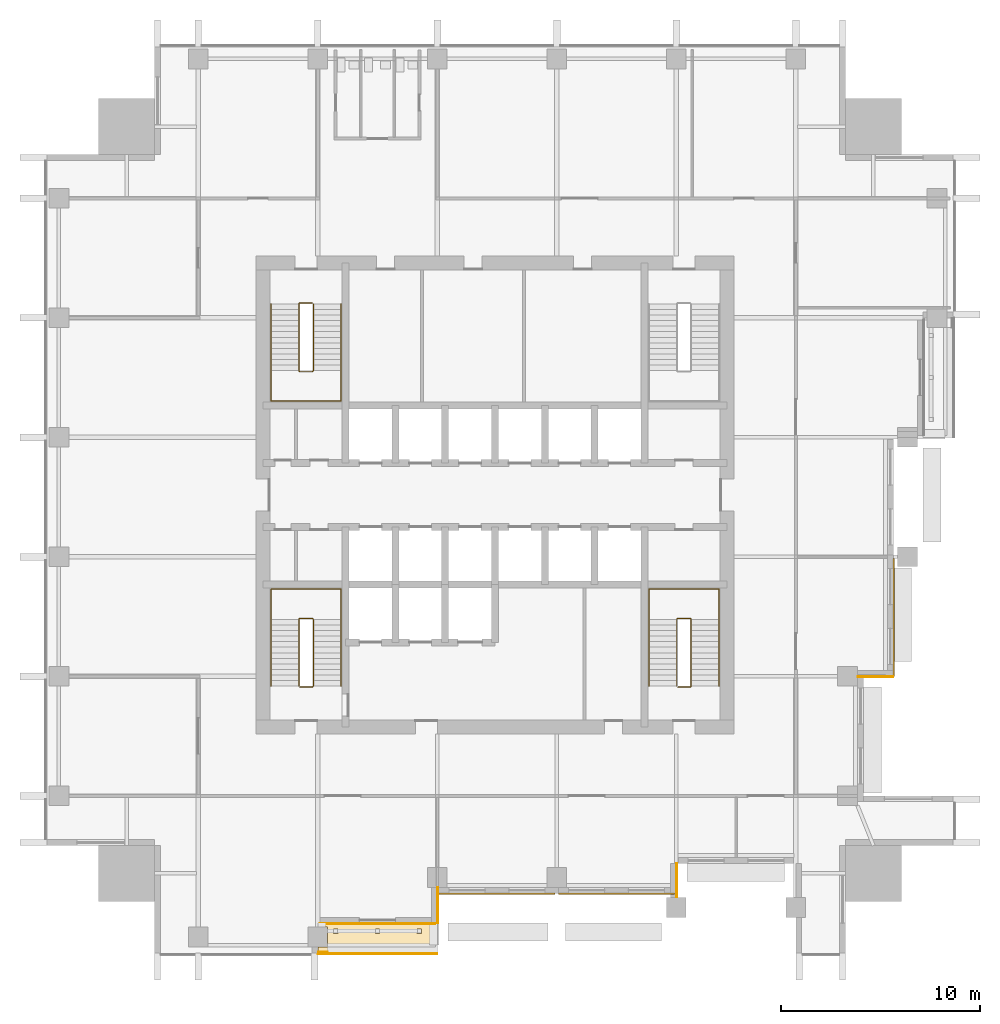
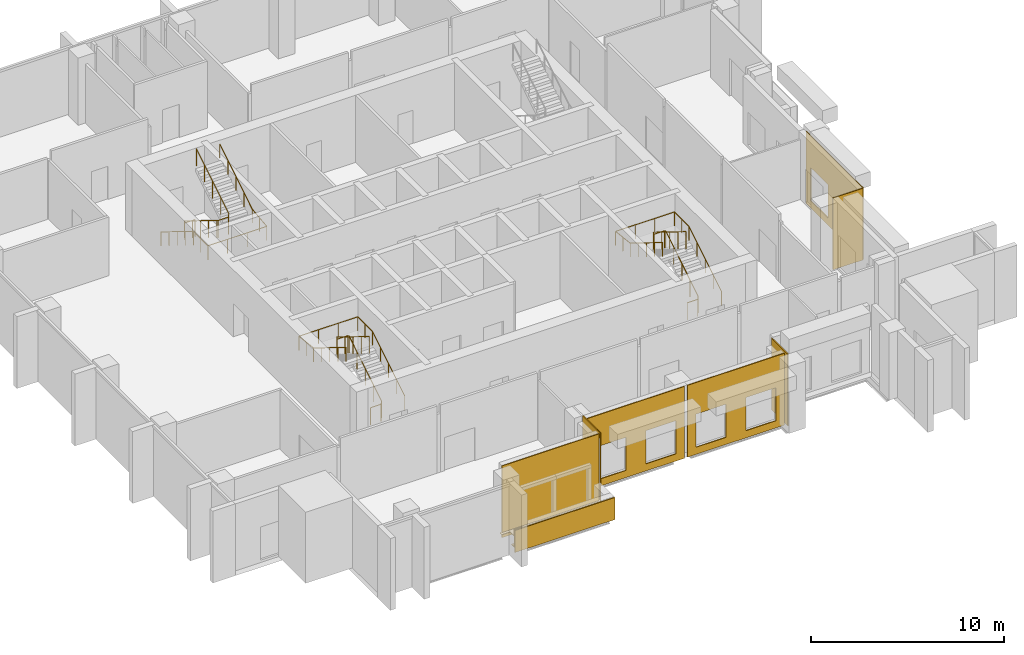
# One storey, part 9 of 11: 9 coverings, 7 railings.
"""IFC4 building model written with IfcOpenShell, lengths in metres."""

from ifc_helpers import new_model, si_unit, direction, frame, origin, origin_2d, place, context, subcontext, project, spatial, polyline, circle, outline, extrude, material, layer, layer_set, type_object, element, save


model = new_model("IFC4")

# Units and contexts
model_context = context("Model", 3, precision=1e-05, world=origin(), true_north=direction((0.0, 1.0)))
body_context = subcontext(model_context, "Body", "Model", "MODEL_VIEW")
ifc_project = project(units=[si_unit("LENGTHUNIT", "METRE"), si_unit("AREAUNIT", "SQUARE_METRE"), si_unit("VOLUMEUNIT", "CUBIC_METRE"), si_unit("PLANEANGLEUNIT", "RADIAN"), si_unit("MASSUNIT", "GRAM", prefix="KILO")], contexts=[model_context])

# Site, building, storey
site_placement = place(None, origin())
site = spatial("IfcSite", under=ifc_project, at=site_placement, CompositionType="ELEMENT")
building_placement = place(site_placement, origin())
building = spatial("IfcBuilding", under=site, at=building_placement, Name="Amberfall Residences", CompositionType="ELEMENT")
storey_placement = place(building_placement, frame((0.0, 0.0, 150.39990234375)))
storey = spatial("IfcBuildingStorey", under=building, at=storey_placement, Name="L40", CompositionType="ELEMENT", Elevation=150.39990234375)

# Coverings
ifc_material_1 = material(Name="Pale limestone cladding", Category="masonry")
ifc_layer_1 = layer(ifc_material_1, 0.050048828125)
ifc_layer_set_1 = layer_set([ifc_layer_1], Name="Limestone fascia 50")
covering_type_1 = type_object("IfcCoveringType", Name="Limestone fascia 50", PredefinedType="CLADDING", material=ifc_layer_set_1)
covering_1_placement = place(storey_placement, frame((0.0, 0.0, -0.2998046875)))
element("IfcCovering", 1, at=covering_1_placement, inside=storey, type_object=covering_type_1, Name="Limestone terrace fascia L40 S1", PredefinedType="CLADDING", context=body_context, shape_type="SweptSolid", body=[
    extrude(outline(polyline([(65.60009765625, 22.5), (71.60009765625, 22.5), (71.60009765625, 22.449951171875), (65.60009765625, 22.449951171875), (65.60009765625, 22.5)])), origin(), (0.0, 0.0, 1.0), 1.39990234375),
])
covering_2_placement = place(storey_placement, frame((71.68994140625, 25.5, 4.25), z_axis=(0.0, 1.0, 0.0), x_axis=(1.0, 0.0, 0.0)))
element("IfcCovering", 2, at=covering_2_placement, inside=storey, type_object=covering_type_1, Name="Pale limestone cladding L40 S", PredefinedType="CLADDING", context=body_context, shape_type="SweptSolid", body=[
    extrude(outline(polyline([(0.0, 0.0), (5.820068359375, 0.0), (5.820068359375, 4.5498046875), (0.0, 4.5498046875), (0.0, 0.0)]), holes=[polyline([(0.510009765625, 2.0), (2.31005859375, 2.0), (2.31005859375, 4.099853515625), (0.510009765625, 4.099853515625), (0.510009765625, 2.0)]), polyline([(3.510009765625, 2.0), (5.31005859375, 2.0), (5.31005859375, 4.099853515625), (3.510009765625, 4.099853515625), (3.510009765625, 2.0)])]), origin(), (0.0, 0.0, -1.0), 0.050048828125),
])
covering_3_placement = place(storey_placement, frame((65.7099609375, 24.0, 4.25), z_axis=(0.0, 1.0, 0.0), x_axis=(1.0, 0.0, 0.0)))
element("IfcCovering", 3, at=covering_3_placement, inside=storey, type_object=covering_type_1, Name="Pale limestone cladding L40 S", PredefinedType="CLADDING", context=body_context, shape_type="SweptSolid", body=[
    extrude(outline(polyline([(0.0, 0.0), (5.800048828125, 0.0), (5.800048828125, 4.5498046875), (0.0, 4.5498046875), (0.0, 0.0)])), origin(), (0.0, 0.0, -1.0), 0.050048828125),
])
covering_4_placement = place(storey_placement, frame((71.60009765625, 24.0, 4.25), z_axis=(-1.0, 0.0, 0.0), x_axis=(0.0, 1.0, 0.0)))
element("IfcCovering", 4, at=covering_4_placement, inside=storey, type_object=covering_type_1, Name="Pale limestone cladding L40 E", PredefinedType="CLADDING", context=body_context, shape_type="SweptSolid", body=[
    extrude(outline(polyline([(0.0, 0.0), (1.798095703125, 0.0), (1.798095703125, 4.5498046875), (0.0, 4.5498046875), (0.0, 0.0)])), origin(), (0.0, 0.0, -1.0), 0.050048828125),
])
covering_5_placement = place(storey_placement, frame((77.68994140625, 25.5, 4.25), z_axis=(0.0, 1.0, 0.0), x_axis=(1.0, 0.0, 0.0)))
element("IfcCovering", 5, at=covering_5_placement, inside=storey, type_object=covering_type_1, Name="Pale limestone cladding L40 S", PredefinedType="CLADDING", context=body_context, shape_type="SweptSolid", body=[
    extrude(outline(polyline([(0.0, 0.0), (5.81005859375, 0.0), (5.81005859375, 4.5498046875), (0.0, 4.5498046875), (0.0, 0.0)]), holes=[polyline([(0.510009765625, 2.0), (2.31005859375, 2.0), (2.31005859375, 4.099853515625), (0.510009765625, 4.099853515625), (0.510009765625, 2.0)]), polyline([(3.510009765625, 2.0), (5.31005859375, 2.0), (5.31005859375, 4.099853515625), (3.510009765625, 4.099853515625), (3.510009765625, 2.0)])]), origin(), (0.0, 0.0, -1.0), 0.050048828125),
])
covering_6_placement = place(storey_placement, frame((83.60009765625, 25.302001953125, 4.25), z_axis=(-1.0, 0.0, 0.0), x_axis=(0.0, 1.0, 0.0)))
element("IfcCovering", 6, at=covering_6_placement, inside=storey, type_object=covering_type_1, Name="Pale limestone cladding L40 E", PredefinedType="CLADDING", context=body_context, shape_type="SweptSolid", body=[
    extrude(outline(polyline([(0.0, 0.0), (1.697998046875, 0.0), (1.697998046875, 4.5498046875), (0.0, 4.5498046875), (0.0, 0.0)])), origin(), (0.0, 0.0, -1.0), 0.050048828125),
])
covering_7_placement = place(storey_placement, frame((92.701904296875, 36.39990234375, 4.25), z_axis=(0.0, 1.0, 0.0), x_axis=(1.0, 0.0, 0.0)))
element("IfcCovering", 7, at=covering_7_placement, inside=storey, type_object=covering_type_1, Name="Pale limestone cladding L40 S", PredefinedType="CLADDING", context=body_context, shape_type="SweptSolid", body=[
    extrude(outline(polyline([(0.0, 0.0), (1.798095703125, 0.0), (1.798095703125, 4.5498046875), (0.0, 4.5498046875), (0.0, 0.0)])), origin(), (0.0, 0.0, -1.0), 0.050048828125),
])
covering_8_placement = place(storey_placement, frame((94.5, 36.39990234375, 4.25), z_axis=(-1.0, 0.0, 0.0), x_axis=(0.0, 1.0, 0.0)))
element("IfcCovering", 8, at=covering_8_placement, inside=storey, type_object=covering_type_1, Name="Pale limestone cladding L40 E", PredefinedType="CLADDING", context=body_context, shape_type="SweptSolid", body=[
    extrude(outline(polyline([(0.0, 0.0), (5.900146484375, 0.0), (5.900146484375, 4.5498046875), (0.0, 4.5498046875), (0.0, 0.0)]), holes=[polyline([(0.60009765625, 2.0), (2.400146484375, 2.0), (2.400146484375, 4.099853515625), (0.60009765625, 4.099853515625), (0.60009765625, 2.0)]), polyline([(3.60009765625, 2.0), (5.400146484375, 2.0), (5.400146484375, 4.099853515625), (3.60009765625, 4.099853515625), (3.60009765625, 2.0)])]), origin(), (0.0, 0.0, -1.0), 0.050048828125),
])
ifc_material_2 = material(Name="Pale stone paving", Category="masonry")
ifc_layer_2 = layer(ifc_material_2, 0.030029296875)
ifc_layer_set_2 = layer_set([ifc_layer_2], Name="Pale stone paving 30")
covering_type_2 = type_object("IfcCoveringType", Name="Pale stone paving 30", PredefinedType="FLOORING", material=ifc_layer_set_2)
covering_9_placement = place(storey_placement, origin())
element("IfcCovering", 9, at=covering_9_placement, inside=storey, type_object=covering_type_2, Name="Pale stone paving L40 S2", PredefinedType="FLOORING", context=body_context, shape_type="SweptSolid", body=[
    extrude(outline(polyline([(65.60009765625, 24.0), (65.60009765625, 23.800048828125), (66.10009765625, 23.800048828125), (66.10009765625, 22.800048828125), (65.60009765625, 22.800048828125), (65.60009765625, 22.5), (71.60009765625, 22.5), (71.60009765625, 24.0), (65.60009765625, 24.0)]), holes=[polyline([(66.389892578125, 23.489990234375), (66.610107421875, 23.489990234375), (66.610107421875, 23.7099609375), (66.389892578125, 23.7099609375), (66.389892578125, 23.489990234375)]), polyline([(68.489990234375, 23.489990234375), (68.7099609375, 23.489990234375), (68.7099609375, 23.7099609375), (68.489990234375, 23.7099609375), (68.489990234375, 23.489990234375)]), polyline([(70.590087890625, 23.489990234375), (70.81005859375, 23.489990234375), (70.81005859375, 23.7099609375), (70.590087890625, 23.7099609375), (70.590087890625, 23.489990234375)])]), origin(), (0.0, 0.0, 1.0), 0.030029296875),
])

# Railings
ifc_material_3 = material(Name="Stainless steel 316", Category="steel")
railing_type_1 = type_object("IfcRailingType", Name="Stair guard 1100", PredefinedType="GUARDRAIL", material=ifc_material_3)
railing_1_placement = place(storey_placement, frame((64.699951171875, 35.85009765625, 0.0)))
element("IfcRailing", 10, at=railing_1_placement, inside=storey, type_object=railing_type_1, Name="L40 stair 1 guard", PredefinedType="GUARDRAIL", context=body_context, shape_type="SweptSolid", body=[
    extrude(circle(Radius=0.02392578125, at=origin_2d()), frame((0.0, 0.0, 1.076171875), z_axis=(1.0, 0.0, 0.0), x_axis=(0.0, 1.0, 0.0)), (0.0, 0.0, 1.0), 0.625),
    extrude(circle(Radius=0.02392578125, at=origin_2d()), frame((0.625, 0.0, 1.076171875), z_axis=(0.267723051232, 0.266417085129, 0.925929967433), x_axis=(-0.705375805398, 0.708833529934, 0.0)), (0.0, 0.0, 1.0), 0.18701171875),
    extrude(circle(Radius=0.02392578125, at=origin_2d()), frame((0.675048828125, 0.0498046875, 1.2490234375), z_axis=(0.0, 0.850623216509, 0.525775754039), x_axis=(-1.0, 0.0, 0.0)), (0.0, 0.0, 1.0), 3.9501953125),
    extrude(circle(Radius=0.02392578125, at=origin_2d()), frame((0.675048828125, 3.409912109375, 3.326171875), z_axis=(-0.707106781187, 0.707106781187, 0.0), x_axis=(-0.707106781187, -0.707106781187, 0.0)), (0.0, 0.0, 1.0), 0.07080078125),
    extrude(circle(Radius=0.02392578125, at=origin_2d()), frame((0.625, 3.4599609375, 3.326171875), z_axis=(-1.0, 0.0, 0.0), x_axis=(0.0, -1.0, 0.0)), (0.0, 0.0, 1.0), 0.625),
    extrude(circle(Radius=0.02392578125, at=origin_2d()), frame((0.0, 3.4599609375, 3.326171875), z_axis=(-0.267629722418, -0.267629722418, 0.925607186314), x_axis=(0.707106781187, -0.707106781187, 0.0)), (0.0, 0.0, 1.0), 0.18701171875),
    extrude(circle(Radius=0.02392578125, at=origin_2d()), frame((-0.050048828125, 3.409912109375, 3.4990234375), z_axis=(0.0, -0.850623216509, 0.525775754039), x_axis=(1.0, 0.0, 0.0)), (0.0, 0.0, 1.0), 3.9501953125),
    extrude(circle(Radius=0.02099609375, at=origin_2d()), origin(), (0.0, 0.0, 1.0), 1.052001953125),
    extrude(circle(Radius=0.02099609375, at=origin_2d()), frame((0.625, 0.0, 0.0)), (0.0, 0.0, 1.0), 1.052001953125),
    extrude(circle(Radius=0.02099609375, at=origin_2d()), frame((0.675048828125, 0.0498046875, 0.173095703125)), (0.0, 0.0, 1.0), 1.052001953125),
    extrude(circle(Radius=0.02099609375, at=origin_2d()), frame((0.675048828125, 0.889892578125, 0.6923828125)), (0.0, 0.0, 1.0), 1.052001953125),
    extrude(circle(Radius=0.02099609375, at=origin_2d()), frame((0.675048828125, 1.72998046875, 1.21142578125)), (0.0, 0.0, 1.0), 1.052001953125),
    extrude(circle(Radius=0.02099609375, at=origin_2d()), frame((0.675048828125, 2.56982421875, 1.730712890625)), (0.0, 0.0, 1.0), 1.052001953125),
    extrude(circle(Radius=0.02099609375, at=origin_2d()), frame((0.675048828125, 3.409912109375, 2.25)), (0.0, 0.0, 1.0), 1.052001953125),
    extrude(circle(Radius=0.02099609375, at=origin_2d()), frame((0.625, 3.4599609375, 2.25)), (0.0, 0.0, 1.0), 1.052001953125),
    extrude(circle(Radius=0.02099609375, at=origin_2d()), frame((0.0, 3.4599609375, 2.25)), (0.0, 0.0, 1.0), 1.052001953125),
    extrude(circle(Radius=0.02099609375, at=origin_2d()), frame((-0.050048828125, 3.409912109375, 2.423095703125)), (0.0, 0.0, 1.0), 1.052001953125),
    extrude(circle(Radius=0.02099609375, at=origin_2d()), frame((-0.050048828125, 2.56982421875, 2.9423828125)), (0.0, 0.0, 1.0), 1.052001953125),
    extrude(circle(Radius=0.02099609375, at=origin_2d()), frame((-0.050048828125, 1.72998046875, 3.46142578125)), (0.0, 0.0, 1.0), 1.052001953125),
    extrude(circle(Radius=0.02099609375, at=origin_2d()), frame((-0.050048828125, 0.889892578125, 3.980712890625)), (0.0, 0.0, 1.0), 1.052001953125),
    extrude(circle(Radius=0.02099609375, at=origin_2d()), frame((-0.050048828125, 0.0498046875, 4.5)), (0.0, 0.0, 1.0), 1.052001953125),
])
railing_2_placement = place(storey_placement, frame((83.675048828125, 35.85009765625, 0.0)))
element("IfcRailing", 11, at=railing_2_placement, inside=storey, type_object=railing_type_1, Name="L40 stair 2 guard", PredefinedType="GUARDRAIL", context=body_context, shape_type="SweptSolid", body=[
    extrude(circle(Radius=0.02392578125, at=origin_2d()), frame((0.0, 0.0, 1.076171875), z_axis=(1.0, 0.0, 0.0), x_axis=(0.0, 1.0, 0.0)), (0.0, 0.0, 1.0), 0.625),
    extrude(circle(Radius=0.02392578125, at=origin_2d()), frame((0.625, 0.0, 1.076171875), z_axis=(0.267723051232, 0.266417085129, 0.925929967433), x_axis=(-0.705375805398, 0.708833529934, 0.0)), (0.0, 0.0, 1.0), 0.18701171875),
    extrude(circle(Radius=0.02392578125, at=origin_2d()), frame((0.675048828125, 0.0498046875, 1.2490234375), z_axis=(0.0, 0.850623216509, 0.525775754039), x_axis=(-1.0, 0.0, 0.0)), (0.0, 0.0, 1.0), 3.9501953125),
    extrude(circle(Radius=0.02392578125, at=origin_2d()), frame((0.675048828125, 3.409912109375, 3.326171875), z_axis=(-0.707106781187, 0.707106781187, 0.0), x_axis=(-0.707106781187, -0.707106781187, 0.0)), (0.0, 0.0, 1.0), 0.07080078125),
    extrude(circle(Radius=0.02392578125, at=origin_2d()), frame((0.625, 3.4599609375, 3.326171875), z_axis=(-1.0, 0.0, 0.0), x_axis=(0.0, -1.0, 0.0)), (0.0, 0.0, 1.0), 0.625),
    extrude(circle(Radius=0.02392578125, at=origin_2d()), frame((0.0, 3.4599609375, 3.326171875), z_axis=(-0.267629722418, -0.267629722418, 0.925607186314), x_axis=(0.707106781187, -0.707106781187, 0.0)), (0.0, 0.0, 1.0), 0.18701171875),
    extrude(circle(Radius=0.02392578125, at=origin_2d()), frame((-0.050048828125, 3.409912109375, 3.4990234375), z_axis=(0.0, -0.850623216509, 0.525775754039), x_axis=(1.0, 0.0, 0.0)), (0.0, 0.0, 1.0), 3.9501953125),
    extrude(circle(Radius=0.02099609375, at=origin_2d()), origin(), (0.0, 0.0, 1.0), 1.052001953125),
    extrude(circle(Radius=0.02099609375, at=origin_2d()), frame((0.625, 0.0, 0.0)), (0.0, 0.0, 1.0), 1.052001953125),
    extrude(circle(Radius=0.02099609375, at=origin_2d()), frame((0.675048828125, 0.0498046875, 0.173095703125)), (0.0, 0.0, 1.0), 1.052001953125),
    extrude(circle(Radius=0.02099609375, at=origin_2d()), frame((0.675048828125, 0.889892578125, 0.6923828125)), (0.0, 0.0, 1.0), 1.052001953125),
    extrude(circle(Radius=0.02099609375, at=origin_2d()), frame((0.675048828125, 1.72998046875, 1.21142578125)), (0.0, 0.0, 1.0), 1.052001953125),
    extrude(circle(Radius=0.02099609375, at=origin_2d()), frame((0.675048828125, 2.56982421875, 1.730712890625)), (0.0, 0.0, 1.0), 1.052001953125),
    extrude(circle(Radius=0.02099609375, at=origin_2d()), frame((0.675048828125, 3.409912109375, 2.25)), (0.0, 0.0, 1.0), 1.052001953125),
    extrude(circle(Radius=0.02099609375, at=origin_2d()), frame((0.625, 3.4599609375, 2.25)), (0.0, 0.0, 1.0), 1.052001953125),
    extrude(circle(Radius=0.02099609375, at=origin_2d()), frame((0.0, 3.4599609375, 2.25)), (0.0, 0.0, 1.0), 1.052001953125),
    extrude(circle(Radius=0.02099609375, at=origin_2d()), frame((-0.050048828125, 3.409912109375, 2.423095703125)), (0.0, 0.0, 1.0), 1.052001953125),
    extrude(circle(Radius=0.02099609375, at=origin_2d()), frame((-0.050048828125, 2.56982421875, 2.9423828125)), (0.0, 0.0, 1.0), 1.052001953125),
    extrude(circle(Radius=0.02099609375, at=origin_2d()), frame((-0.050048828125, 1.72998046875, 3.46142578125)), (0.0, 0.0, 1.0), 1.052001953125),
    extrude(circle(Radius=0.02099609375, at=origin_2d()), frame((-0.050048828125, 0.889892578125, 3.980712890625)), (0.0, 0.0, 1.0), 1.052001953125),
    extrude(circle(Radius=0.02099609375, at=origin_2d()), frame((-0.050048828125, 0.0498046875, 4.5)), (0.0, 0.0, 1.0), 1.052001953125),
])
railing_3_placement = place(storey_placement, frame((65.324951171875, 55.14990234375, 0.0)))
element("IfcRailing", 12, at=railing_3_placement, inside=storey, type_object=railing_type_1, Name="L40 stair 4 guard", PredefinedType="GUARDRAIL", context=body_context, shape_type="SweptSolid", body=[
    extrude(circle(Radius=0.02392578125, at=origin_2d()), frame((0.0, 0.0, 1.076171875), z_axis=(-1.0, 0.0, 0.0), x_axis=(0.0, -1.0, 0.0)), (0.0, 0.0, 1.0), 0.625),
    extrude(circle(Radius=0.02392578125, at=origin_2d()), frame((-0.625, 0.0, 1.076171875), z_axis=(-0.267723051232, -0.266417085129, 0.925929967433), x_axis=(0.705375805398, -0.708833529934, 0.0)), (0.0, 0.0, 1.0), 0.18701171875),
    extrude(circle(Radius=0.02392578125, at=origin_2d()), frame((-0.675048828125, -0.0498046875, 1.2490234375), z_axis=(0.0, -0.850623216509, 0.525775754039), x_axis=(1.0, 0.0, 0.0)), (0.0, 0.0, 1.0), 3.9501953125),
    extrude(circle(Radius=0.02392578125, at=origin_2d()), frame((-0.675048828125, -3.409912109375, 3.326171875), z_axis=(0.707106781187, -0.707106781187, 0.0), x_axis=(0.707106781187, 0.707106781187, 0.0)), (0.0, 0.0, 1.0), 0.07080078125),
    extrude(circle(Radius=0.02392578125, at=origin_2d()), frame((-0.625, -3.4599609375, 3.326171875), z_axis=(1.0, 0.0, 0.0), x_axis=(0.0, 1.0, 0.0)), (0.0, 0.0, 1.0), 0.625),
    extrude(circle(Radius=0.02392578125, at=origin_2d()), frame((0.0, -3.4599609375, 3.326171875), z_axis=(0.267629722418, 0.267629722418, 0.925607186314), x_axis=(-0.707106781187, 0.707106781187, 0.0)), (0.0, 0.0, 1.0), 0.18701171875),
    extrude(circle(Radius=0.02392578125, at=origin_2d()), frame((0.050048828125, -3.409912109375, 3.4990234375), z_axis=(0.0, 0.850623216509, 0.525775754039), x_axis=(-1.0, 0.0, 0.0)), (0.0, 0.0, 1.0), 3.9501953125),
    extrude(circle(Radius=0.02099609375, at=origin_2d()), origin(), (0.0, 0.0, 1.0), 1.052001953125),
    extrude(circle(Radius=0.02099609375, at=origin_2d()), frame((-0.625, 0.0, 0.0)), (0.0, 0.0, 1.0), 1.052001953125),
    extrude(circle(Radius=0.02099609375, at=origin_2d()), frame((-0.675048828125, -0.0498046875, 0.173095703125)), (0.0, 0.0, 1.0), 1.052001953125),
    extrude(circle(Radius=0.02099609375, at=origin_2d()), frame((-0.675048828125, -0.889892578125, 0.6923828125)), (0.0, 0.0, 1.0), 1.052001953125),
    extrude(circle(Radius=0.02099609375, at=origin_2d()), frame((-0.675048828125, -1.72998046875, 1.21142578125)), (0.0, 0.0, 1.0), 1.052001953125),
    extrude(circle(Radius=0.02099609375, at=origin_2d()), frame((-0.675048828125, -2.56982421875, 1.730712890625)), (0.0, 0.0, 1.0), 1.052001953125),
    extrude(circle(Radius=0.02099609375, at=origin_2d()), frame((-0.675048828125, -3.409912109375, 2.25)), (0.0, 0.0, 1.0), 1.052001953125),
    extrude(circle(Radius=0.02099609375, at=origin_2d()), frame((-0.625, -3.4599609375, 2.25)), (0.0, 0.0, 1.0), 1.052001953125),
    extrude(circle(Radius=0.02099609375, at=origin_2d()), frame((0.0, -3.4599609375, 2.25)), (0.0, 0.0, 1.0), 1.052001953125),
    extrude(circle(Radius=0.02099609375, at=origin_2d()), frame((0.050048828125, -3.409912109375, 2.423095703125)), (0.0, 0.0, 1.0), 1.052001953125),
    extrude(circle(Radius=0.02099609375, at=origin_2d()), frame((0.050048828125, -2.56982421875, 2.9423828125)), (0.0, 0.0, 1.0), 1.052001953125),
    extrude(circle(Radius=0.02099609375, at=origin_2d()), frame((0.050048828125, -1.72998046875, 3.46142578125)), (0.0, 0.0, 1.0), 1.052001953125),
    extrude(circle(Radius=0.02099609375, at=origin_2d()), frame((0.050048828125, -0.889892578125, 3.980712890625)), (0.0, 0.0, 1.0), 1.052001953125),
    extrude(circle(Radius=0.02099609375, at=origin_2d()), frame((0.050048828125, -0.0498046875, 4.5)), (0.0, 0.0, 1.0), 1.052001953125),
])
railing_type_2 = type_object("IfcRailingType", Name="Stair handrail 900", PredefinedType="HANDRAIL", material=ifc_material_3)
railing_4_placement = place(storey_placement, frame((66.77490234375, 35.89990234375, 0.173095703125)))
element("IfcRailing", 13, at=railing_4_placement, inside=storey, type_object=railing_type_2, Name="L40 stair 1 handrail", PredefinedType="HANDRAIL", context=body_context, shape_type="SweptSolid", body=[
    extrude(circle(Radius=0.02392578125, at=origin_2d()), frame((0.0, 0.0, 0.8759765625), z_axis=(0.0, 0.850623216509, 0.525775754039), x_axis=(-1.0, 0.0, 0.0)), (0.0, 0.0, 1.0), 3.9501953125),
    extrude(circle(Radius=0.02392578125, at=origin_2d()), frame((0.0, 3.360107421875, 2.95263671875), z_axis=(0.0, 1.0, 0.0), x_axis=(-1.0, 0.0, 0.0)), (0.0, 0.0, 1.0), 1.514892578125),
    extrude(circle(Radius=0.02392578125, at=origin_2d()), frame((0.0, 4.875, 2.95263671875), z_axis=(-1.0, 0.0, 0.0), x_axis=(0.0, -1.0, 0.0)), (0.0, 0.0, 1.0), 3.52490234375),
    extrude(circle(Radius=0.02392578125, at=origin_2d()), frame((-3.52490234375, 4.875, 2.95263671875), z_axis=(0.0, -0.993535252875, 0.113524011972), x_axis=(1.0, 0.0, 0.0)), (0.0, 0.0, 1.0), 1.524658203125),
    extrude(circle(Radius=0.02392578125, at=origin_2d()), frame((-3.52490234375, 3.360107421875, 3.1259765625), z_axis=(0.0, -0.850623216509, 0.525775754039), x_axis=(1.0, 0.0, 0.0)), (0.0, 0.0, 1.0), 3.9501953125),
    extrude(circle(Radius=0.02099609375, at=origin_2d()), origin(), (0.0, 0.0, 1.0), 0.851806640625),
    extrude(circle(Radius=0.02099609375, at=origin_2d()), frame((0.0, 0.840087890625, 0.519287109375)), (0.0, 0.0, 1.0), 0.851806640625),
    extrude(circle(Radius=0.02099609375, at=origin_2d()), frame((0.0, 1.68017578125, 1.03857421875)), (0.0, 0.0, 1.0), 0.851806640625),
    extrude(circle(Radius=0.02099609375, at=origin_2d()), frame((0.0, 2.52001953125, 1.5576171875)), (0.0, 0.0, 1.0), 0.851806640625),
    extrude(circle(Radius=0.02099609375, at=origin_2d()), frame((0.0, 3.360107421875, 2.076904296875)), (0.0, 0.0, 1.0), 0.851806640625),
    extrude(circle(Radius=0.02099609375, at=origin_2d()), frame((0.0, 4.11767578125, 2.076904296875)), (0.0, 0.0, 1.0), 0.851806640625),
    extrude(circle(Radius=0.02099609375, at=origin_2d()), frame((0.0, 4.875, 2.076904296875)), (0.0, 0.0, 1.0), 0.851806640625),
    extrude(circle(Radius=0.02099609375, at=origin_2d()), frame((-1.175048828125, 4.875, 2.076904296875)), (0.0, 0.0, 1.0), 0.851806640625),
    extrude(circle(Radius=0.02099609375, at=origin_2d()), frame((-2.349853515625, 4.875, 2.076904296875)), (0.0, 0.0, 1.0), 0.851806640625),
    extrude(circle(Radius=0.02099609375, at=origin_2d()), frame((-3.52490234375, 4.875, 2.076904296875)), (0.0, 0.0, 1.0), 0.851806640625),
    extrude(circle(Radius=0.02099609375, at=origin_2d()), frame((-3.52490234375, 4.11767578125, 2.16357421875)), (0.0, 0.0, 1.0), 0.851806640625),
    extrude(circle(Radius=0.02099609375, at=origin_2d()), frame((-3.52490234375, 3.360107421875, 2.25)), (0.0, 0.0, 1.0), 0.851806640625),
    extrude(circle(Radius=0.02099609375, at=origin_2d()), frame((-3.52490234375, 2.52001953125, 2.769287109375)), (0.0, 0.0, 1.0), 0.851806640625),
    extrude(circle(Radius=0.02099609375, at=origin_2d()), frame((-3.52490234375, 1.68017578125, 3.28857421875)), (0.0, 0.0, 1.0), 0.851806640625),
    extrude(circle(Radius=0.02099609375, at=origin_2d()), frame((-3.52490234375, 0.840087890625, 3.8076171875)), (0.0, 0.0, 1.0), 0.851806640625),
    extrude(circle(Radius=0.02099609375, at=origin_2d()), frame((-3.52490234375, 0.0, 4.326904296875)), (0.0, 0.0, 1.0), 0.851806640625),
])
railing_5_placement = place(storey_placement, frame((85.75, 35.89990234375, 0.173095703125)))
element("IfcRailing", 14, at=railing_5_placement, inside=storey, type_object=railing_type_2, Name="L40 stair 2 handrail", PredefinedType="HANDRAIL", context=body_context, shape_type="SweptSolid", body=[
    extrude(circle(Radius=0.02392578125, at=origin_2d()), frame((0.0, 0.0, 0.8759765625), z_axis=(0.0, 0.850623216509, 0.525775754039), x_axis=(-1.0, 0.0, 0.0)), (0.0, 0.0, 1.0), 3.9501953125),
    extrude(circle(Radius=0.02392578125, at=origin_2d()), frame((0.0, 3.360107421875, 2.95263671875), z_axis=(0.0, 1.0, 0.0), x_axis=(-1.0, 0.0, 0.0)), (0.0, 0.0, 1.0), 1.514892578125),
    extrude(circle(Radius=0.02392578125, at=origin_2d()), frame((0.0, 4.875, 2.95263671875), z_axis=(-1.0, 0.0, 0.0), x_axis=(0.0, -1.0, 0.0)), (0.0, 0.0, 1.0), 3.52490234375),
    extrude(circle(Radius=0.02392578125, at=origin_2d()), frame((-3.52490234375, 4.875, 2.95263671875), z_axis=(0.0, -0.993535252875, 0.113524011972), x_axis=(1.0, 0.0, 0.0)), (0.0, 0.0, 1.0), 1.524658203125),
    extrude(circle(Radius=0.02392578125, at=origin_2d()), frame((-3.52490234375, 3.360107421875, 3.1259765625), z_axis=(0.0, -0.850623216509, 0.525775754039), x_axis=(1.0, 0.0, 0.0)), (0.0, 0.0, 1.0), 3.9501953125),
    extrude(circle(Radius=0.02099609375, at=origin_2d()), origin(), (0.0, 0.0, 1.0), 0.851806640625),
    extrude(circle(Radius=0.02099609375, at=origin_2d()), frame((0.0, 0.840087890625, 0.519287109375)), (0.0, 0.0, 1.0), 0.851806640625),
    extrude(circle(Radius=0.02099609375, at=origin_2d()), frame((0.0, 1.68017578125, 1.03857421875)), (0.0, 0.0, 1.0), 0.851806640625),
    extrude(circle(Radius=0.02099609375, at=origin_2d()), frame((0.0, 2.52001953125, 1.5576171875)), (0.0, 0.0, 1.0), 0.851806640625),
    extrude(circle(Radius=0.02099609375, at=origin_2d()), frame((0.0, 3.360107421875, 2.076904296875)), (0.0, 0.0, 1.0), 0.851806640625),
    extrude(circle(Radius=0.02099609375, at=origin_2d()), frame((0.0, 4.11767578125, 2.076904296875)), (0.0, 0.0, 1.0), 0.851806640625),
    extrude(circle(Radius=0.02099609375, at=origin_2d()), frame((0.0, 4.875, 2.076904296875)), (0.0, 0.0, 1.0), 0.851806640625),
    extrude(circle(Radius=0.02099609375, at=origin_2d()), frame((-1.175048828125, 4.875, 2.076904296875)), (0.0, 0.0, 1.0), 0.851806640625),
    extrude(circle(Radius=0.02099609375, at=origin_2d()), frame((-2.349853515625, 4.875, 2.076904296875)), (0.0, 0.0, 1.0), 0.851806640625),
    extrude(circle(Radius=0.02099609375, at=origin_2d()), frame((-3.52490234375, 4.875, 2.076904296875)), (0.0, 0.0, 1.0), 0.851806640625),
    extrude(circle(Radius=0.02099609375, at=origin_2d()), frame((-3.52490234375, 4.11767578125, 2.16357421875)), (0.0, 0.0, 1.0), 0.851806640625),
    extrude(circle(Radius=0.02099609375, at=origin_2d()), frame((-3.52490234375, 3.360107421875, 2.25)), (0.0, 0.0, 1.0), 0.851806640625),
    extrude(circle(Radius=0.02099609375, at=origin_2d()), frame((-3.52490234375, 2.52001953125, 2.769287109375)), (0.0, 0.0, 1.0), 0.851806640625),
    extrude(circle(Radius=0.02099609375, at=origin_2d()), frame((-3.52490234375, 1.68017578125, 3.28857421875)), (0.0, 0.0, 1.0), 0.851806640625),
    extrude(circle(Radius=0.02099609375, at=origin_2d()), frame((-3.52490234375, 0.840087890625, 3.8076171875)), (0.0, 0.0, 1.0), 0.851806640625),
    extrude(circle(Radius=0.02099609375, at=origin_2d()), frame((-3.52490234375, 0.0, 4.326904296875)), (0.0, 0.0, 1.0), 0.851806640625),
])
railing_6_placement = place(storey_placement, frame((63.25, 55.10009765625, 0.173095703125)))
element("IfcRailing", 15, at=railing_6_placement, inside=storey, type_object=railing_type_2, Name="L40 stair 4 handrail", PredefinedType="HANDRAIL", context=body_context, shape_type="SweptSolid", body=[
    extrude(circle(Radius=0.02392578125, at=origin_2d()), frame((0.0, 0.0, 0.8759765625), z_axis=(0.0, -0.850623216509, 0.525775754039), x_axis=(1.0, 0.0, 0.0)), (0.0, 0.0, 1.0), 3.9501953125),
    extrude(circle(Radius=0.02392578125, at=origin_2d()), frame((0.0, -3.360107421875, 2.95263671875), z_axis=(0.0, -1.0, 0.0), x_axis=(1.0, 0.0, 0.0)), (0.0, 0.0, 1.0), 1.514892578125),
    extrude(circle(Radius=0.02392578125, at=origin_2d()), frame((0.0, -4.875, 2.95263671875), z_axis=(1.0, 0.0, 0.0), x_axis=(0.0, 1.0, 0.0)), (0.0, 0.0, 1.0), 3.52490234375),
    extrude(circle(Radius=0.02392578125, at=origin_2d()), frame((3.52490234375, -4.875, 2.95263671875), z_axis=(0.0, 0.993535252875, 0.113524011972), x_axis=(-1.0, 0.0, 0.0)), (0.0, 0.0, 1.0), 1.524658203125),
    extrude(circle(Radius=0.02392578125, at=origin_2d()), frame((3.52490234375, -3.360107421875, 3.1259765625), z_axis=(0.0, 0.850623216509, 0.525775754039), x_axis=(-1.0, 0.0, 0.0)), (0.0, 0.0, 1.0), 3.9501953125),
    extrude(circle(Radius=0.02099609375, at=origin_2d()), origin(), (0.0, 0.0, 1.0), 0.851806640625),
    extrude(circle(Radius=0.02099609375, at=origin_2d()), frame((0.0, -0.840087890625, 0.519287109375)), (0.0, 0.0, 1.0), 0.851806640625),
    extrude(circle(Radius=0.02099609375, at=origin_2d()), frame((0.0, -1.68017578125, 1.03857421875)), (0.0, 0.0, 1.0), 0.851806640625),
    extrude(circle(Radius=0.02099609375, at=origin_2d()), frame((0.0, -2.52001953125, 1.5576171875)), (0.0, 0.0, 1.0), 0.851806640625),
    extrude(circle(Radius=0.02099609375, at=origin_2d()), frame((0.0, -3.360107421875, 2.076904296875)), (0.0, 0.0, 1.0), 0.851806640625),
    extrude(circle(Radius=0.02099609375, at=origin_2d()), frame((0.0, -4.11767578125, 2.076904296875)), (0.0, 0.0, 1.0), 0.851806640625),
    extrude(circle(Radius=0.02099609375, at=origin_2d()), frame((0.0, -4.875, 2.076904296875)), (0.0, 0.0, 1.0), 0.851806640625),
    extrude(circle(Radius=0.02099609375, at=origin_2d()), frame((1.175048828125, -4.875, 2.076904296875)), (0.0, 0.0, 1.0), 0.851806640625),
    extrude(circle(Radius=0.02099609375, at=origin_2d()), frame((2.349853515625, -4.875, 2.076904296875)), (0.0, 0.0, 1.0), 0.851806640625),
    extrude(circle(Radius=0.02099609375, at=origin_2d()), frame((3.52490234375, -4.875, 2.076904296875)), (0.0, 0.0, 1.0), 0.851806640625),
    extrude(circle(Radius=0.02099609375, at=origin_2d()), frame((3.52490234375, -4.11767578125, 2.16357421875)), (0.0, 0.0, 1.0), 0.851806640625),
    extrude(circle(Radius=0.02099609375, at=origin_2d()), frame((3.52490234375, -3.360107421875, 2.25)), (0.0, 0.0, 1.0), 0.851806640625),
    extrude(circle(Radius=0.02099609375, at=origin_2d()), frame((3.52490234375, -2.52001953125, 2.769287109375)), (0.0, 0.0, 1.0), 0.851806640625),
    extrude(circle(Radius=0.02099609375, at=origin_2d()), frame((3.52490234375, -1.68017578125, 3.28857421875)), (0.0, 0.0, 1.0), 0.851806640625),
    extrude(circle(Radius=0.02099609375, at=origin_2d()), frame((3.52490234375, -0.840087890625, 3.8076171875)), (0.0, 0.0, 1.0), 0.851806640625),
    extrude(circle(Radius=0.02099609375, at=origin_2d()), frame((3.52490234375, 0.0, 4.326904296875)), (0.0, 0.0, 1.0), 0.851806640625),
])
ifc_material_4 = material(Name="Bronze anodised aluminium and laminated glass", Category="aluminium")
railing_type_3 = type_object("IfcRailingType", Name="Terrace edge guard 1100", PredefinedType="GUARDRAIL", material=ifc_material_4)
railing_7_placement = place(storey_placement, frame((65.6357421875, 22.536865234375, 0.030029296875)))
element("IfcRailing", 16, at=railing_7_placement, inside=storey, type_object=railing_type_3, Name="Terrace guard L40 S2", PredefinedType="GUARDRAIL", context=body_context, shape_type="SweptSolid", body=[
    extrude(circle(Radius=0.02392578125, at=origin_2d()), frame((0.0, 0.0, 1.076171875), z_axis=(0.999974490772, 0.007142674934, 0.0), x_axis=(-0.007142674934, 0.999974490772, 0.0)), (0.0, 0.0, 1.0), 0.4443359375),
    extrude(circle(Radius=0.02099609375, at=origin_2d()), origin(), (0.0, 0.0, 1.0), 1.052001953125),
    extrude(circle(Radius=0.02099609375, at=origin_2d()), frame((0.4443359375, 0.003173828125, 0.0)), (0.0, 0.0, 1.0), 1.052001953125),
])

save(model, "model.ifc")
